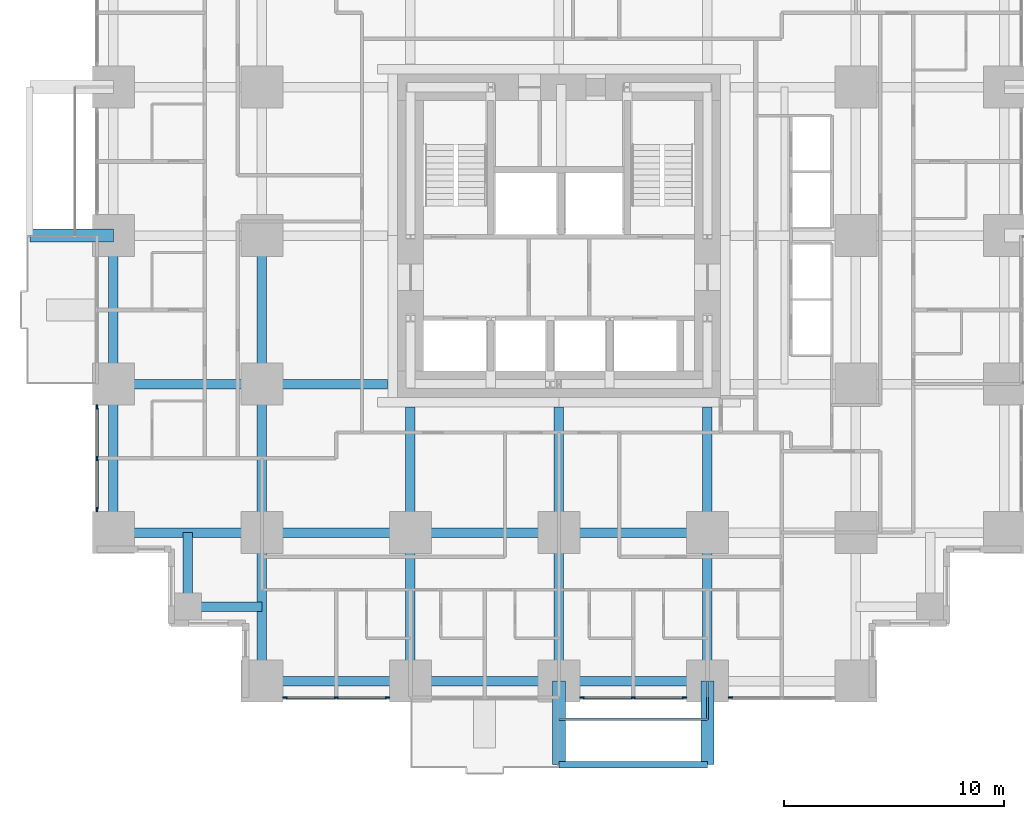
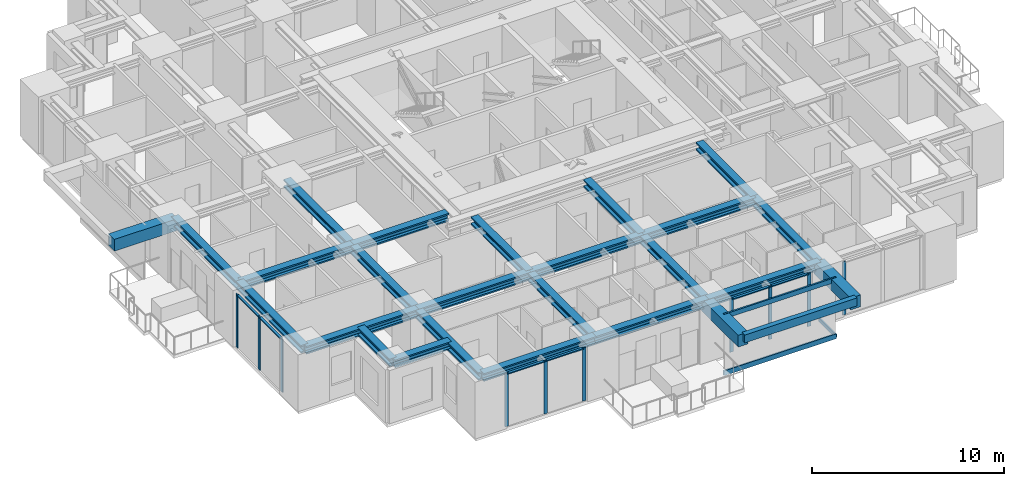
# One storey, part 2 of 14: 26 beams, 19 members, 4 elements without a shape of their own.
"""IFC4 building model written with IfcOpenShell, lengths in metres."""

import ifcopenshell
import ifcopenshell.guid

model = None  # the IFC model being written
_history = None  # IfcOwnerHistory: only IFC2X3 demands one
_inside = {}  # id of a spatial element -> (the spatial element, [elements in it])
_under = {}  # id of a project, library or spatial element -> (it, [spatial elements below it])
_declared = {}  # id of a project -> (the project, [libraries it declares])
_typed = {}  # id of a type object -> (the type object, [elements of that type])
_made_of = {}  # id of a material, layer set ... -> (it, [elements and type objects made of it])


def new_model(schema):
    """Start an empty IFC model of exactly this schema.

    Asked for "IFC4X3", IfcOpenShell would pick the latest addendum, in which some entities
    have other attributes; the version numbers below select the first issue.
    IFC2X3 requires an IfcOwnerHistory on every rooted entity: one is made here for all.
    """
    global model, _history
    if schema == "IFC4X3":
        model = ifcopenshell.file(schema_version=(4, 3, 0, 0))
    else:
        model = ifcopenshell.file(schema=schema)
    _inside.clear()
    _under.clear()
    _declared.clear()
    _typed.clear()
    _made_of.clear()
    _history = None
    if model.schema == "IFC2X3":
        org = make("IfcOrganization", Name="unknown")
        user = make(
            "IfcPersonAndOrganization",
            ThePerson=make("IfcPerson", FamilyName="unknown"),
            TheOrganization=org,
        )
        app = make(
            "IfcApplication",
            ApplicationDeveloper=org,
            Version="unknown",
            ApplicationFullName="unknown",
            ApplicationIdentifier="unknown",
        )
        _history = make(
            "IfcOwnerHistory",
            OwningUser=user,
            OwningApplication=app,
            ChangeAction="ADDED",
            CreationDate=0,
        )
    return model


def make(cls, **values):
    """One entity of the class cls with the attributes given. An attribute that is None is left unset."""
    return model.create_entity(
        cls, **{name: value for name, value in values.items() if value is not None}
    )


def rooted(cls, **values):
    """An entity with a GlobalId (a new one), such as an element, a storey or a relation."""
    return make(cls, GlobalId=ifcopenshell.guid.new(), OwnerHistory=_history, **values)


def si_unit(unit_type, name, prefix=None):
    """IfcSIUnit, for example si_unit("LENGTHUNIT", "METRE", prefix="MILLI")."""
    return make("IfcSIUnit", UnitType=unit_type, Prefix=prefix, Name=name)


def assignment(units):
    """IfcUnitAssignment: the units of a project."""
    return None if units is None else make("IfcUnitAssignment", Units=units)


def point(xyz):
    """IfcCartesianPoint."""
    return None if xyz is None else make("IfcCartesianPoint", Coordinates=xyz)


def direction(xyz):
    """IfcDirection."""
    return None if xyz is None else make("IfcDirection", DirectionRatios=xyz)


def frame(location, z_axis=None, x_axis=None):
    """IfcAxis2Placement3D, a coordinate frame: its origin and axes. An axis left out is left unset."""
    return make(
        "IfcAxis2Placement3D",
        Location=point(location),
        Axis=direction(z_axis),
        RefDirection=direction(x_axis),
    )


def frame_2d(location, x_axis=None):
    """IfcAxis2Placement2D, a coordinate frame in the plane: its origin and x axis."""
    return make(
        "IfcAxis2Placement2D", Location=point(location), RefDirection=direction(x_axis)
    )


def origin():
    """The frame at (0, 0, 0) with its axes left unset."""
    return frame((0.0, 0.0, 0.0))


def origin_2d():
    """The frame at (0, 0) in the plane with its x axis left unset."""
    return frame_2d((0.0, 0.0))


def place(relative_to, where):
    """IfcLocalPlacement: puts the frame where relative to a parent placement (None: the world)."""
    return make(
        "IfcLocalPlacement", PlacementRelTo=relative_to, RelativePlacement=where
    )


def context(
    kind, dimensions, precision=None, world=None, true_north=None, identifier=None
):
    """IfcGeometricRepresentationContext, for example the 3D "Model" context."""
    return make(
        "IfcGeometricRepresentationContext",
        ContextIdentifier=identifier,
        ContextType=kind,
        CoordinateSpaceDimension=dimensions,
        Precision=precision,
        WorldCoordinateSystem=world,
        TrueNorth=true_north,
    )


def subcontext(parent, identifier, kind, view, scale=None):
    """IfcGeometricRepresentationSubContext, for example "Body" below "Model"."""
    return make(
        "IfcGeometricRepresentationSubContext",
        ContextIdentifier=identifier,
        ContextType=kind,
        ParentContext=parent,
        TargetScale=scale,
        TargetView=view,
    )


def project(units=None, contexts=None):
    """IfcProject with its units and contexts."""
    return rooted(
        "IfcProject",
        Name="project",
        RepresentationContexts=contexts,
        UnitsInContext=assignment(units),
    )


def spatial(cls, under=None, at=None, **own):
    """A site, building, storey or space (cls), placed at a placement, below another one or the project."""
    s = rooted(cls, ObjectPlacement=at, **own)
    if under is not None:
        _under.setdefault(under.id(), (under, []))[1].append(s)
    return s


def profile(cls, at=None, kind="AREA", **sizes):
    """A parametric profile (cls). Its sizes go by their IFC names, for example OverallWidth=200.0."""
    return make(cls, ProfileType=kind, Position=at, **sizes)


def rectangle(**sizes):
    """IfcRectangleProfileDef."""
    return profile("IfcRectangleProfileDef", **sizes)


def hollow_rectangle(**sizes):
    """IfcRectangleHollowProfileDef."""
    return profile("IfcRectangleHollowProfileDef", **sizes)


def i_section(**sizes):
    """IfcIShapeProfileDef."""
    return profile("IfcIShapeProfileDef", **sizes)


def extrude(swept, where, along, depth):
    """IfcExtrudedAreaSolid: the profile swept, set in the frame where, extruded along a direction by depth."""
    return make(
        "IfcExtrudedAreaSolid",
        SweptArea=swept,
        Position=where,
        ExtrudedDirection=direction(along),
        Depth=depth,
    )


def shape(context_of_items, identifier, shape_type, items):
    """IfcShapeRepresentation: the items that make up one representation, for example the "Body"."""
    return make(
        "IfcShapeRepresentation",
        ContextOfItems=context_of_items,
        RepresentationIdentifier=identifier,
        RepresentationType=shape_type,
        Items=items,
    )


def material(Name=None, Category=None):
    """IfcMaterial."""
    return make("IfcMaterial", Name=Name, Category=Category)


def material_profile(
    of_material, cross_section, Name=None, Category=None, Priority=None
):
    """IfcMaterialProfile: a cross section and its material."""
    return make(
        "IfcMaterialProfile",
        Name=Name,
        Material=of_material,
        Profile=cross_section,
        Priority=Priority,
        Category=Category,
    )


def profile_set(profiles, Name=None, composite=None):
    """IfcMaterialProfileSet."""
    return make(
        "IfcMaterialProfileSet",
        Name=Name,
        MaterialProfiles=profiles,
        CompositeProfile=composite,
    )


def made_of(thing, what):
    """Note that an element or type object is made of a material, layer set ...; save() writes the relation."""
    if what is not None:
        _made_of.setdefault(what.id(), (what, []))[1].append(thing)
    return thing


def type_object(cls, material=None, **own):
    """A type object (cls), such as IfcWallType, which elements share."""
    return made_of(rooted(cls, **own), material)


def element(
    cls,
    number,
    at=None,
    inside=None,
    cuts=None,
    type_object=None,
    material=None,
    context=None,
    identifier="Body",
    shape_type=None,
    held_by="IfcProductDefinitionShape",
    body=None,
    shapes=None,
    **own,
):
    """One element of the class cls, such as IfcWall. Its Tag is "e" and its number.

    at: its placement. inside: the storey or other place that contains it. cuts: it is an
    opening in that element (IfcRelVoidsElement). A single representation is given by context,
    identifier, shape_type and body (its items); several are given by shapes. held_by: the class
    of the entity that holds the representations. save() writes the other relations.
    """
    e = rooted(cls, Tag="e%d" % number, ObjectPlacement=at, **own)
    if body is not None:
        shapes = [shape(context, identifier, shape_type, body)]
    if shapes is not None:
        e.Representation = make(held_by, Representations=shapes)
    if inside is not None:
        _inside.setdefault(inside.id(), (inside, []))[1].append(e)
    if cuts is not None:
        rooted(
            "IfcRelVoidsElement", RelatingBuildingElement=cuts, RelatedOpeningElement=e
        )
    if type_object is not None:
        _typed.setdefault(type_object.id(), (type_object, []))[1].append(e)
    return made_of(e, material)


def aggregate(whole, parts):
    """IfcRelAggregates: a whole, such as a stair, and the parts it consists of."""
    return rooted("IfcRelAggregates", RelatingObject=whole, RelatedObjects=parts)


def save(model, path):
    """Write the relations noted so far, then the file.

    IfcRelAggregates (storeys below a building ...), IfcRelContainedInSpatialStructure (elements
    in a storey), IfcRelDefinesByType, IfcRelAssociatesMaterial and IfcRelDeclares: one each for
    every whole, place, type object, material and project.
    """
    for whole, parts in _under.values():
        aggregate(whole, parts)
    for where, things in _inside.values():
        rooted(
            "IfcRelContainedInSpatialStructure",
            RelatedElements=things,
            RelatingStructure=where,
        )
    for kind, things in _typed.values():
        rooted("IfcRelDefinesByType", RelatedObjects=things, RelatingType=kind)
    for what, things in _made_of.values():
        rooted("IfcRelAssociatesMaterial", RelatedObjects=things, RelatingMaterial=what)
    for by, libraries in _declared.values():
        rooted("IfcRelDeclares", RelatingContext=by, RelatedDefinitions=libraries)
    model.write(path)


model = new_model("IFC4")

# Units and contexts
model_context = context("Model", 3, precision=1e-05, world=origin(), true_north=direction((0.0, 1.0)))
body_context = subcontext(model_context, "Body", "Model", "MODEL_VIEW")
ifc_project = project(units=[si_unit("LENGTHUNIT", "METRE"), si_unit("AREAUNIT", "SQUARE_METRE"), si_unit("VOLUMEUNIT", "CUBIC_METRE"), si_unit("PLANEANGLEUNIT", "RADIAN"), si_unit("MASSUNIT", "GRAM", prefix="KILO")], contexts=[model_context])

# Site, building, storey
site_placement = place(None, origin())
site = spatial("IfcSite", under=ifc_project, at=site_placement, CompositionType="ELEMENT")
building_placement = place(site_placement, origin())
building = spatial("IfcBuilding", under=site, at=building_placement, Name="Nyansa Garden Tower", CompositionType="ELEMENT")
storey_placement = place(building_placement, frame((0.0, 0.0, 39.60009765625)))
storey = spatial("IfcBuildingStorey", under=building, at=storey_placement, Name="L10", CompositionType="ELEMENT", Elevation=39.60009765625)

# Beams
ifc_material_1 = material(Name="Concrete C70/85", Category="concrete")
ifc_material_profile_1 = material_profile(ifc_material_1, rectangle(XDim=0.60009765625, YDim=0.75, at=origin_2d()), Name="RC 600x750")
ifc_profile_set_1 = profile_set([ifc_material_profile_1], Name="Concrete C70/85")
beam_type_1 = type_object("IfcBeamType", Name="Balcony cantilever beam CB1 RC 600x750", PredefinedType="BEAM", material=ifc_profile_set_1)
for number, where, z_axis, x_axis, name in (
    (1, (20.25, 0.0, 2.98486328125), (0.0, -1.0, 0.0), (1.0, 0.0, 0.0), "Balcony cantilever beam L11"),
    (2, (27.0, 0.0, 2.98486328125), (0.0, -1.0, 0.0), (1.0, 0.0, 0.0), "Balcony cantilever beam L11"),
    (3, (0.0, 20.25, 2.98486328125), (-1.0, 0.0, 0.0), (0.0, -1.0, 0.0), "Balcony cantilever beam L11"),
):
    element("IfcBeam", number, at=place(storey_placement, frame(where, z_axis=z_axis, x_axis=x_axis)), inside=storey, type_object=beam_type_1, Name=name, PredefinedType="BEAM", context=body_context, shape_type="SweptSolid", body=[
        extrude(rectangle(XDim=0.60009765625, YDim=0.75, at=origin_2d()), origin(), (0.0, 0.0, 1.0), 3.800048828125),
    ])
ifc_material_2 = material(Name="Concrete C70/85", Category="concrete")
ifc_material_profile_2 = material_profile(ifc_material_2, rectangle(XDim=0.300048828125, YDim=0.5, at=origin_2d()), Name="RC 300x500")
ifc_profile_set_2 = profile_set([ifc_material_profile_2], Name="Concrete C70/85")
beam_type_2 = type_object("IfcBeamType", Name="Balcony edge beam BE1 RC 300x500", PredefinedType="BEAM", material=ifc_profile_set_2)
beam_1_placement = place(storey_placement, frame((20.25, -3.800048828125, 3.10986328125), z_axis=(1.0, 0.0, 0.0), x_axis=(0.0, 1.0, 0.0)))
element("IfcBeam", 4, at=beam_1_placement, inside=storey, type_object=beam_type_2, Name="Balcony edge beam L11", PredefinedType="BEAM", context=body_context, shape_type="SweptSolid", body=[
    extrude(rectangle(XDim=0.300048828125, YDim=0.5, at=origin_2d()), origin(), (0.0, 0.0, 1.0), 6.75),
])

# Curtain wall, members
ifc_material_3 = material(Name="Black anodised aluminium, dark tinted double glazing", Category="aluminium")
curtain_wall_type = type_object("IfcCurtainWallType", Name="Inner skin curtain wall ISW-A", PredefinedType="USERDEFINED", material=ifc_material_3)
curtain_wall_1_placement = place(storey_placement, origin())
curtain_wall_1 = element("IfcCurtainWall", 5, at=curtain_wall_1_placement, inside=storey, type_object=curtain_wall_type, Name="Inner skin curtain wall L10 W", ObjectType="UNITISED CURTAIN WALL", PredefinedType="USERDEFINED")
ifc_material_4 = material(Name="Black anodised aluminium", Category="aluminium")
ifc_material_profile_3 = material_profile(ifc_material_4, rectangle(XDim=0.06494140625, YDim=0.199951171875, at=origin_2d()), Name="Mullion 200x65")
ifc_profile_set_3 = profile_set([ifc_material_profile_3], Name="Black anodised aluminium")
member_type_1 = type_object("IfcMemberType", Name="Mullion ISW-A 200x65", PredefinedType="MULLION", material=ifc_profile_set_3)
member_1_placement = place(storey_placement, frame((-0.75, 12.449951171875, 0.0), z_axis=(0.0, 0.0, 1.0), x_axis=(1.0, 0.0, 0.0)))
member_1 = element("IfcMember", 6, at=member_1_placement, type_object=member_type_1, Name="ISW-A mullion 1", PredefinedType="MULLION", context=body_context, shape_type="SweptSolid", body=[
    extrude(rectangle(XDim=0.06494140625, YDim=0.199951171875, at=origin_2d()), origin(), (0.0, 0.0, 1.0), 3.375),
])
member_2_placement = place(storey_placement, frame((-0.75, 10.125, 0.0), z_axis=(0.0, 0.0, 1.0), x_axis=(1.0, 0.0, 0.0)))
member_2 = element("IfcMember", 7, at=member_2_placement, type_object=member_type_1, Name="ISW-A mullion 2", PredefinedType="MULLION", context=body_context, shape_type="SweptSolid", body=[
    extrude(rectangle(XDim=0.06494140625, YDim=0.199951171875, at=origin_2d()), origin(), (0.0, 0.0, 1.0), 3.375),
])
member_3_placement = place(storey_placement, frame((-0.75, 7.800048828125, 0.0), z_axis=(0.0, 0.0, 1.0), x_axis=(1.0, 0.0, 0.0)))
member_3 = element("IfcMember", 8, at=member_3_placement, type_object=member_type_1, Name="ISW-A mullion 3", PredefinedType="MULLION", context=body_context, shape_type="SweptSolid", body=[
    extrude(rectangle(XDim=0.06494140625, YDim=0.199951171875, at=origin_2d()), origin(), (0.0, 0.0, 1.0), 3.375),
])

curtain_wall_2_placement = place(storey_placement, origin())
curtain_wall_2 = element("IfcCurtainWall", 9, at=curtain_wall_2_placement, inside=storey, type_object=curtain_wall_type, Name="Inner skin curtain wall L10 S", ObjectType="UNITISED CURTAIN WALL", PredefinedType="USERDEFINED")
member_4_placement = place(storey_placement, frame((7.800048828125, -0.75, 0.0), z_axis=(0.0, 0.0, 1.0), x_axis=(0.0, 1.0, 0.0)))
member_4 = element("IfcMember", 10, at=member_4_placement, type_object=member_type_1, Name="ISW-A mullion 1", PredefinedType="MULLION", context=body_context, shape_type="SweptSolid", body=[
    extrude(rectangle(XDim=0.06494140625, YDim=0.199951171875, at=origin_2d()), origin(), (0.0, 0.0, 1.0), 3.375),
])
member_5_placement = place(storey_placement, frame((10.125, -0.75, 0.0), z_axis=(0.0, 0.0, 1.0), x_axis=(0.0, 1.0, 0.0)))
member_5 = element("IfcMember", 11, at=member_5_placement, type_object=member_type_1, Name="ISW-A mullion 2", PredefinedType="MULLION", context=body_context, shape_type="SweptSolid", body=[
    extrude(rectangle(XDim=0.06494140625, YDim=0.199951171875, at=origin_2d()), origin(), (0.0, 0.0, 1.0), 3.375),
])
member_6_placement = place(storey_placement, frame((12.449951171875, -0.75, 0.0), z_axis=(0.0, 0.0, 1.0), x_axis=(0.0, 1.0, 0.0)))
member_6 = element("IfcMember", 12, at=member_6_placement, type_object=member_type_1, Name="ISW-A mullion 3", PredefinedType="MULLION", context=body_context, shape_type="SweptSolid", body=[
    extrude(rectangle(XDim=0.06494140625, YDim=0.199951171875, at=origin_2d()), origin(), (0.0, 0.0, 1.0), 3.375),
])

curtain_wall_3_placement = place(storey_placement, origin())
curtain_wall_3 = element("IfcCurtainWall", 13, at=curtain_wall_3_placement, inside=storey, type_object=curtain_wall_type, Name="Inner skin curtain wall L10 S", ObjectType="UNITISED CURTAIN WALL", PredefinedType="USERDEFINED")
member_7_placement = place(storey_placement, frame((21.300048828125, -0.75, 0.0), z_axis=(0.0, 0.0, 1.0), x_axis=(0.0, 1.0, 0.0)))
member_7 = element("IfcMember", 14, at=member_7_placement, type_object=member_type_1, Name="ISW-A mullion 1", PredefinedType="MULLION", context=body_context, shape_type="SweptSolid", body=[
    extrude(rectangle(XDim=0.06494140625, YDim=0.199951171875, at=origin_2d()), origin(), (0.0, 0.0, 1.0), 3.375),
])
member_8_placement = place(storey_placement, frame((23.625, -0.75, 0.0), z_axis=(0.0, 0.0, 1.0), x_axis=(0.0, 1.0, 0.0)))
member_8 = element("IfcMember", 15, at=member_8_placement, type_object=member_type_1, Name="ISW-A mullion 2", PredefinedType="MULLION", context=body_context, shape_type="SweptSolid", body=[
    extrude(rectangle(XDim=0.06494140625, YDim=0.199951171875, at=origin_2d()), origin(), (0.0, 0.0, 1.0), 3.375),
])
member_9_placement = place(storey_placement, frame((25.949951171875, -0.75, 0.0), z_axis=(0.0, 0.0, 1.0), x_axis=(0.0, 1.0, 0.0)))
member_9 = element("IfcMember", 16, at=member_9_placement, type_object=member_type_1, Name="ISW-A mullion 3", PredefinedType="MULLION", context=body_context, shape_type="SweptSolid", body=[
    extrude(rectangle(XDim=0.06494140625, YDim=0.199951171875, at=origin_2d()), origin(), (0.0, 0.0, 1.0), 3.375),
])

# Curtain wall, member
curtain_wall_4_placement = place(storey_placement, origin())
curtain_wall_4 = element("IfcCurtainWall", 17, at=curtain_wall_4_placement, inside=storey, type_object=curtain_wall_type, Name="Inner skin curtain wall L10 S", ObjectType="UNITISED CURTAIN WALL", PredefinedType="USERDEFINED")
member_10_placement = place(storey_placement, frame((28.050048828125, -0.75, 0.0), z_axis=(0.0, 0.0, 1.0), x_axis=(0.0, 1.0, 0.0)))
member_10 = element("IfcMember", 18, at=member_10_placement, type_object=member_type_1, Name="ISW-A mullion 1", PredefinedType="MULLION", context=body_context, shape_type="SweptSolid", body=[
    extrude(rectangle(XDim=0.06494140625, YDim=0.199951171875, at=origin_2d()), origin(), (0.0, 0.0, 1.0), 3.375),
])
aggregate(curtain_wall_4, [member_10])

# Members
ifc_material_5 = material(Name="Steel S355, black powder coated", Category="steel")
ifc_material_profile_4 = material_profile(ifc_material_5, hollow_rectangle(XDim=0.10009765625, YDim=0.199951171875, WallThickness=0.008056640625, at=origin_2d()), Name="RHS 200x100x8")
ifc_profile_set_4 = profile_set([ifc_material_profile_4], Name="Steel S355, black powder coated")
member_type_2 = type_object("IfcMemberType", Name="Outer skin bracket arm RHS 200x100x8", PredefinedType="USERDEFINED", material=ifc_profile_set_4)
member_11_placement = place(storey_placement, frame((27.0, 0.0, -0.375), z_axis=(0.0, -1.0, 0.0), x_axis=(1.0, 0.0, 0.0)))
element("IfcMember", 19, at=member_11_placement, inside=storey, type_object=member_type_2, Name="Outer skin bracket arm", ObjectType="OUTER SKIN BRACKET", PredefinedType="USERDEFINED", context=body_context, shape_type="SweptSolid", body=[
    extrude(hollow_rectangle(XDim=0.10009765625, YDim=0.199951171875, WallThickness=0.008056640625, at=origin_2d()), origin(), (0.0, 0.0, 1.0), 1.75),
])
ifc_material_6 = material(Name="Steel S355, black powder coated", Category="steel")
ifc_material_profile_5 = material_profile(ifc_material_6, hollow_rectangle(XDim=0.10009765625, YDim=0.300048828125, WallThickness=0.010009765625, at=origin_2d()), Name="RHS 300x100x10")
ifc_profile_set_5 = profile_set([ifc_material_profile_5], Name="Steel S355, black powder coated")
member_type_3 = type_object("IfcMemberType", Name="Outer skin rail RHS 300x100x10", PredefinedType="USERDEFINED", material=ifc_profile_set_5)
for number, where, z_axis, x_axis, name in (
    (20, (20.25, -1.75, -0.375), (1.0, 0.0, 0.0), (0.0, 1.0, 0.0), "Outer skin rail L10"),
    (21, (20.25, -1.75, 3.224853515625), (1.0, 0.0, 0.0), (0.0, 1.0, 0.0), "Outer skin rail L10 head"),
):
    element("IfcMember", number, at=place(storey_placement, frame(where, z_axis=z_axis, x_axis=x_axis)), inside=storey, type_object=member_type_3, Name=name, ObjectType="OUTER SKIN RAIL", PredefinedType="USERDEFINED", context=body_context, shape_type="SweptSolid", body=[
        extrude(hollow_rectangle(XDim=0.10009765625, YDim=0.300048828125, WallThickness=0.010009765625, at=origin_2d()), origin(), (0.0, 0.0, 1.0), 6.75),
    ])

# Beams
ifc_material_7 = material(Name="Steel S355", Category="steel")
ifc_material_profile_6 = material_profile(ifc_material_7, i_section(OverallWidth=0.431884765625, OverallDepth=0.498046875, WebThickness=0.0556640625, FlangeThickness=0.0888671875, FilletRadius=0.014892578125, at=origin_2d()), Name="HD 400x744")
ifc_profile_set_6 = profile_set([ifc_material_profile_6], Name="Steel S355")
beam_type_3 = type_object("IfcBeamType", Name="Steel beam SBA1-744 HD 400x744", PredefinedType="BEAM", material=ifc_profile_set_6)
for number, where, z_axis, x_axis, name in (
    (22, (0.0, 6.75, 3.1259765625), (1.0, 0.0, 0.0), (0.0, 1.0, 0.0), "Steel beam 2/E-3/E L11"),
    (23, (0.0, 13.5, 3.1259765625), (1.0, 0.0, 0.0), (0.0, 1.0, 0.0), "Steel beam 2/F-3/F L11"),
    (24, (6.75, 0.0, 3.1259765625), (0.0, 1.0, 0.0), (-1.0, 0.0, 0.0), "Steel beam 3/D-3/E L11"),
    (25, (6.75, 6.75, 3.1259765625), (0.0, 1.0, 0.0), (-1.0, 0.0, 0.0), "Steel beam 3/E-3/F L11"),
    (26, (6.75, 6.75, 3.1259765625), (1.0, 0.0, 0.0), (0.0, 1.0, 0.0), "Steel beam 3/E-4/E L11"),
    (27, (6.75, 13.5, 3.1259765625), (0.0, 1.0, 0.0), (-1.0, 0.0, 0.0), "Steel beam 3/F-3/G L11"),
):
    element("IfcBeam", number, at=place(storey_placement, frame(where, z_axis=z_axis, x_axis=x_axis)), inside=storey, type_object=beam_type_3, Name=name, PredefinedType="BEAM", context=body_context, shape_type="SweptSolid", body=[
        extrude(i_section(OverallWidth=0.431884765625, OverallDepth=0.498046875, WebThickness=0.0556640625, FlangeThickness=0.0888671875, FilletRadius=0.014892578125, at=origin_2d()), origin(), (0.0, 0.0, 1.0), 6.75),
    ])
beam_2_placement = place(storey_placement, frame((6.75, 13.5, 3.1259765625), z_axis=(1.0, 0.0, 0.0), x_axis=(0.0, 1.0, 0.0)))
element("IfcBeam", 28, at=beam_2_placement, inside=storey, type_object=beam_type_3, Name="Steel beam 3/F-12.450/F L11", PredefinedType="BEAM", context=body_context, shape_type="SweptSolid", body=[
    extrude(i_section(OverallWidth=0.431884765625, OverallDepth=0.498046875, WebThickness=0.0556640625, FlangeThickness=0.0888671875, FilletRadius=0.014892578125, at=origin_2d()), origin(), (0.0, 0.0, 1.0), 5.699951171875),
])
beam_3_placement = place(storey_placement, frame((13.5, 0.0, 3.1259765625), z_axis=(0.0, 1.0, 0.0), x_axis=(-1.0, 0.0, 0.0)))
element("IfcBeam", 29, at=beam_3_placement, inside=storey, type_object=beam_type_3, Name="Steel beam 4/D-4/E L11", PredefinedType="BEAM", context=body_context, shape_type="SweptSolid", body=[
    extrude(i_section(OverallWidth=0.431884765625, OverallDepth=0.498046875, WebThickness=0.0556640625, FlangeThickness=0.0888671875, FilletRadius=0.014892578125, at=origin_2d()), origin(), (0.0, 0.0, 1.0), 6.75),
])
beam_4_placement = place(storey_placement, frame((13.5, 6.75, 3.1259765625), z_axis=(0.0, 1.0, 0.0), x_axis=(-1.0, 0.0, 0.0)))
element("IfcBeam", 30, at=beam_4_placement, inside=storey, type_object=beam_type_3, Name="Steel beam 4/E-4/12.450 L11", PredefinedType="BEAM", context=body_context, shape_type="SweptSolid", body=[
    extrude(i_section(OverallWidth=0.431884765625, OverallDepth=0.498046875, WebThickness=0.0556640625, FlangeThickness=0.0888671875, FilletRadius=0.014892578125, at=origin_2d()), origin(), (0.0, 0.0, 1.0), 5.699951171875),
])
for number, where, z_axis, x_axis, name in (
    (31, (13.5, 6.75, 3.1259765625), (1.0, 0.0, 0.0), (0.0, 1.0, 0.0), "Steel beam 4/E-5/E L11"),
    (32, (20.25, 0.0, 3.1259765625), (0.0, 1.0, 0.0), (-1.0, 0.0, 0.0), "Steel beam 5/D-5/E L11"),
):
    element("IfcBeam", number, at=place(storey_placement, frame(where, z_axis=z_axis, x_axis=x_axis)), inside=storey, type_object=beam_type_3, Name=name, PredefinedType="BEAM", context=body_context, shape_type="SweptSolid", body=[
        extrude(i_section(OverallWidth=0.431884765625, OverallDepth=0.498046875, WebThickness=0.0556640625, FlangeThickness=0.0888671875, FilletRadius=0.014892578125, at=origin_2d()), origin(), (0.0, 0.0, 1.0), 6.75),
    ])
beam_5_placement = place(storey_placement, frame((20.25, 6.75, 3.1259765625), z_axis=(0.0, 1.0, 0.0), x_axis=(-1.0, 0.0, 0.0)))
element("IfcBeam", 33, at=beam_5_placement, inside=storey, type_object=beam_type_3, Name="Steel beam 5/E-5/12.450 L11", PredefinedType="BEAM", context=body_context, shape_type="SweptSolid", body=[
    extrude(i_section(OverallWidth=0.431884765625, OverallDepth=0.498046875, WebThickness=0.0556640625, FlangeThickness=0.0888671875, FilletRadius=0.014892578125, at=origin_2d()), origin(), (0.0, 0.0, 1.0), 5.699951171875),
])
for number, where, z_axis, x_axis, name in (
    (34, (20.25, 6.75, 3.1259765625), (1.0, 0.0, 0.0), (0.0, 1.0, 0.0), "Steel beam 5/E-6/E L11"),
    (35, (27.0, 0.0, 3.1259765625), (0.0, 1.0, 0.0), (-1.0, 0.0, 0.0), "Steel beam 6/D-6/E L11"),
):
    element("IfcBeam", number, at=place(storey_placement, frame(where, z_axis=z_axis, x_axis=x_axis)), inside=storey, type_object=beam_type_3, Name=name, PredefinedType="BEAM", context=body_context, shape_type="SweptSolid", body=[
        extrude(i_section(OverallWidth=0.431884765625, OverallDepth=0.498046875, WebThickness=0.0556640625, FlangeThickness=0.0888671875, FilletRadius=0.014892578125, at=origin_2d()), origin(), (0.0, 0.0, 1.0), 6.75),
    ])
beam_6_placement = place(storey_placement, frame((27.0, 6.75, 3.1259765625), z_axis=(0.0, 1.0, 0.0), x_axis=(-1.0, 0.0, 0.0)))
element("IfcBeam", 36, at=beam_6_placement, inside=storey, type_object=beam_type_3, Name="Steel beam 6/E-6/12.450 L11", PredefinedType="BEAM", context=body_context, shape_type="SweptSolid", body=[
    extrude(i_section(OverallWidth=0.431884765625, OverallDepth=0.498046875, WebThickness=0.0556640625, FlangeThickness=0.0888671875, FilletRadius=0.014892578125, at=origin_2d()), origin(), (0.0, 0.0, 1.0), 5.699951171875),
])
ifc_material_8 = material(Name="Steel S355", Category="steel")
ifc_material_profile_7 = material_profile(ifc_material_8, i_section(OverallWidth=0.431884765625, OverallDepth=0.498046875, WebThickness=0.0556640625, FlangeThickness=0.0888671875, FilletRadius=0.014892578125, at=origin_2d()), Name="HD 400x744")
ifc_profile_set_7 = profile_set([ifc_material_profile_7], Name="Steel S355")
beam_type_4 = type_object("IfcBeamType", Name="Steel beam SEBA-744 HD 400x744", PredefinedType="BEAM", material=ifc_profile_set_7)
for number, where, z_axis, x_axis, name in (
    (37, (0.0, 6.75, 3.1259765625), (0.0, 1.0, 0.0), (-1.0, 0.0, 0.0), "Steel edge beam 2/E-2/F L11"),
    (38, (0.0, 13.5, 3.1259765625), (0.0, 1.0, 0.0), (-1.0, 0.0, 0.0), "Steel edge beam 2/F-2/G L11"),
    (39, (6.75, 0.0, 3.1259765625), (1.0, 0.0, 0.0), (0.0, 1.0, 0.0), "Steel edge beam 3/D-4/D L11"),
    (40, (13.5, 0.0, 3.1259765625), (1.0, 0.0, 0.0), (0.0, 1.0, 0.0), "Steel edge beam 4/D-5/D L11"),
    (41, (20.25, 0.0, 3.1259765625), (1.0, 0.0, 0.0), (0.0, 1.0, 0.0), "Steel edge beam 5/D-6/D L11"),
):
    element("IfcBeam", number, at=place(storey_placement, frame(where, z_axis=z_axis, x_axis=x_axis)), inside=storey, type_object=beam_type_4, Name=name, PredefinedType="BEAM", context=body_context, shape_type="SweptSolid", body=[
        extrude(i_section(OverallWidth=0.431884765625, OverallDepth=0.498046875, WebThickness=0.0556640625, FlangeThickness=0.0888671875, FilletRadius=0.014892578125, at=origin_2d()), origin(), (0.0, 0.0, 1.0), 6.75),
    ])
ifc_material_9 = material(Name="Steel S355", Category="steel")
ifc_material_profile_8 = material_profile(ifc_material_9, i_section(OverallWidth=0.431884765625, OverallDepth=0.498046875, WebThickness=0.0556640625, FlangeThickness=0.0888671875, FilletRadius=0.014892578125, at=origin_2d()), Name="HD 400x744")
ifc_profile_set_8 = profile_set([ifc_material_profile_8], Name="Steel S355")
beam_type_5 = type_object("IfcBeamType", Name="Steel beam SSB1-744 HD 400x744", PredefinedType="BEAM", material=ifc_profile_set_8)
for number, where, z_axis, x_axis, name in (
    (42, (3.375, 3.375, 3.1259765625), (0.0, 1.0, 0.0), (-1.0, 0.0, 0.0), "Steel step beam 3.375/3.375 L11"),
    (43, (3.375, 3.375, 3.1259765625), (1.0, 0.0, 0.0), (0.0, 1.0, 0.0), "Steel step beam 3.375/3.375 L11"),
):
    element("IfcBeam", number, at=place(storey_placement, frame(where, z_axis=z_axis, x_axis=x_axis)), inside=storey, type_object=beam_type_5, Name=name, PredefinedType="BEAM", context=body_context, shape_type="SweptSolid", body=[
        extrude(i_section(OverallWidth=0.431884765625, OverallDepth=0.498046875, WebThickness=0.0556640625, FlangeThickness=0.0888671875, FilletRadius=0.014892578125, at=origin_2d()), origin(), (0.0, 0.0, 1.0), 3.375),
    ])

# Member
ifc_material_10 = material(Name="Black anodised aluminium", Category="aluminium")
ifc_material_profile_9 = material_profile(ifc_material_10, rectangle(XDim=0.14990234375, YDim=0.06494140625, at=origin_2d()), Name="Transom 150x65")
ifc_profile_set_9 = profile_set([ifc_material_profile_9], Name="Black anodised aluminium")
member_type_4 = type_object("IfcMemberType", Name="Transom ISW-A 150x65", PredefinedType="USERDEFINED", material=ifc_profile_set_9)
member_12_placement = place(storey_placement, frame((-0.75, 12.41748046875, 3.34228515625), z_axis=(0.0, -1.0, 0.0), x_axis=(1.0, 0.0, 0.0)))
member_12 = element("IfcMember", 44, at=member_12_placement, type_object=member_type_4, Name="ISW-A transom 1", ObjectType="TRANSOM", PredefinedType="USERDEFINED", context=body_context, shape_type="SweptSolid", body=[
    extrude(rectangle(XDim=0.14990234375, YDim=0.06494140625, at=origin_2d()), origin(), (0.0, 0.0, 1.0), 2.260009765625),
])

member_13_placement = place(storey_placement, frame((-0.75, 10.092529296875, 3.34228515625), z_axis=(0.0, -1.0, 0.0), x_axis=(1.0, 0.0, 0.0)))
member_13 = element("IfcMember", 45, at=member_13_placement, type_object=member_type_4, Name="ISW-A transom 2", ObjectType="TRANSOM", PredefinedType="USERDEFINED", context=body_context, shape_type="SweptSolid", body=[
    extrude(rectangle(XDim=0.14990234375, YDim=0.06494140625, at=origin_2d()), origin(), (0.0, 0.0, 1.0), 2.260009765625),
])

aggregate(curtain_wall_1, [member_1, member_2, member_3, member_12, member_13])

member_14_placement = place(storey_placement, frame((7.83251953125, -0.75, 3.34228515625), z_axis=(1.0, 0.0, 0.0), x_axis=(0.0, 1.0, 0.0)))
member_14 = element("IfcMember", 46, at=member_14_placement, type_object=member_type_4, Name="ISW-A transom 1", ObjectType="TRANSOM", PredefinedType="USERDEFINED", context=body_context, shape_type="SweptSolid", body=[
    extrude(rectangle(XDim=0.14990234375, YDim=0.06494140625, at=origin_2d()), origin(), (0.0, 0.0, 1.0), 2.260009765625),
])

member_15_placement = place(storey_placement, frame((10.157470703125, -0.75, 3.34228515625), z_axis=(1.0, 0.0, 0.0), x_axis=(0.0, 1.0, 0.0)))
member_15 = element("IfcMember", 47, at=member_15_placement, type_object=member_type_4, Name="ISW-A transom 2", ObjectType="TRANSOM", PredefinedType="USERDEFINED", context=body_context, shape_type="SweptSolid", body=[
    extrude(rectangle(XDim=0.14990234375, YDim=0.06494140625, at=origin_2d()), origin(), (0.0, 0.0, 1.0), 2.260009765625),
])

aggregate(curtain_wall_2, [member_4, member_5, member_6, member_14, member_15])

member_16_placement = place(storey_placement, frame((21.33251953125, -0.75, 3.34228515625), z_axis=(1.0, 0.0, 0.0), x_axis=(0.0, 1.0, 0.0)))
member_16 = element("IfcMember", 48, at=member_16_placement, type_object=member_type_4, Name="ISW-A transom 1", ObjectType="TRANSOM", PredefinedType="USERDEFINED", context=body_context, shape_type="SweptSolid", body=[
    extrude(rectangle(XDim=0.14990234375, YDim=0.06494140625, at=origin_2d()), origin(), (0.0, 0.0, 1.0), 2.260009765625),
])

member_17_placement = place(storey_placement, frame((23.657470703125, -0.75, 3.34228515625), z_axis=(1.0, 0.0, 0.0), x_axis=(0.0, 1.0, 0.0)))
member_17 = element("IfcMember", 49, at=member_17_placement, type_object=member_type_4, Name="ISW-A transom 2", ObjectType="TRANSOM", PredefinedType="USERDEFINED", context=body_context, shape_type="SweptSolid", body=[
    extrude(rectangle(XDim=0.14990234375, YDim=0.06494140625, at=origin_2d()), origin(), (0.0, 0.0, 1.0), 2.260009765625),
])

aggregate(curtain_wall_3, [member_7, member_8, member_9, member_16, member_17])

save(model, "model.ifc")
